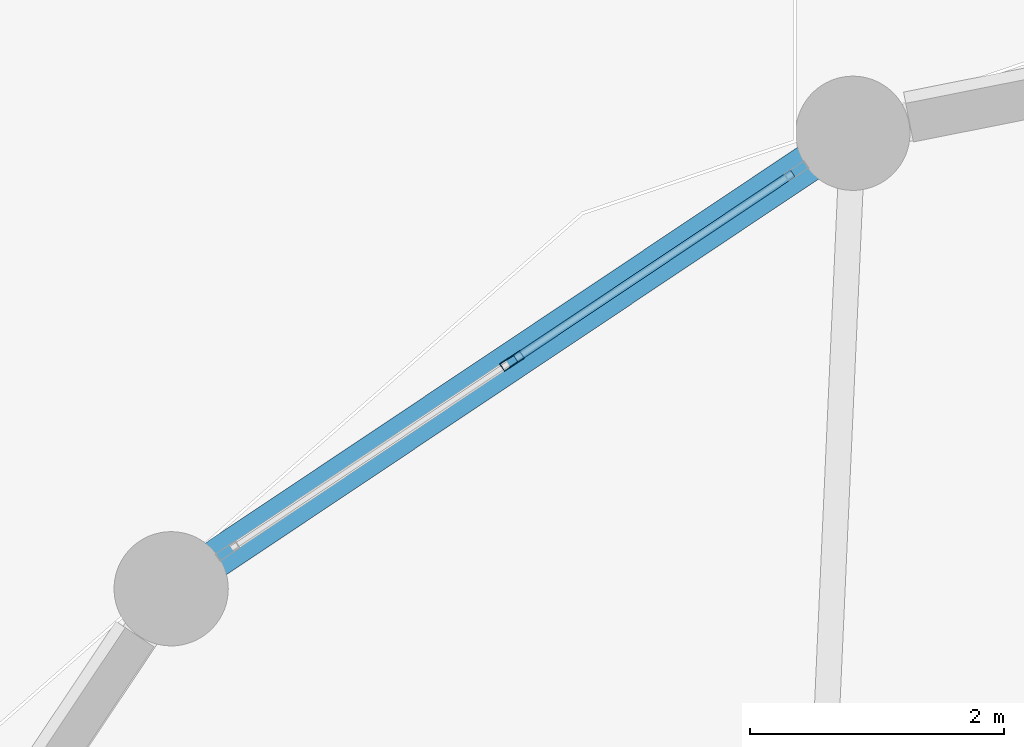
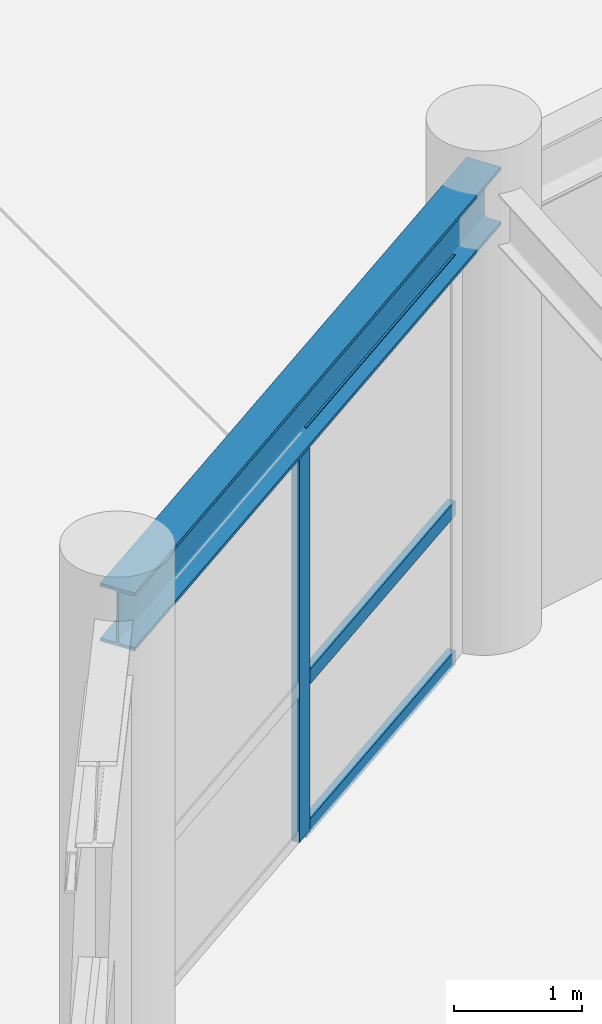
# One storey, part 18 of 40: 4 members, 1 beam, 1 element without a shape of its own.
"""IFC4 building model written with IfcOpenShell, lengths in metres."""

from ifc_helpers import new_model, si_unit, derived_unit, direction, frame, origin, origin_2d, place, context, subcontext, project, spatial, hollow_rectangle, i_section, extrude, source, transform, mapped, material, layer, layer_set, material_profile, profile_set, type_object, element, aggregate, save


model = new_model("IFC4")

# Units and contexts
model_context = context("Model", 3, precision=1e-05, world=origin(), true_north=direction((0.0, 1.0)))
body_context = subcontext(model_context, "Body", "Model", "MODEL_VIEW")
ifc_project = project(units=[si_unit("LENGTHUNIT", "METRE"), si_unit("AREAUNIT", "SQUARE_METRE"), si_unit("VOLUMEUNIT", "CUBIC_METRE"), si_unit("PLANEANGLEUNIT", "RADIAN"), si_unit("MASSUNIT", "GRAM", prefix="KILO"), derived_unit("THERMALTRANSMITTANCEUNIT", [(si_unit("POWERUNIT", "WATT"), 1), (si_unit("LENGTHUNIT", "METRE"), -2), (si_unit("THERMODYNAMICTEMPERATUREUNIT", "KELVIN"), -1)])], contexts=[model_context])

# Site, building, storey
site_placement = place(None, origin())
site = spatial("IfcSite", under=ifc_project, at=site_placement, CompositionType="ELEMENT")
building_placement = place(site_placement, origin())
building = spatial("IfcBuilding", under=site, at=building_placement, Name="Korsvarv Bourse and Concert Hall", CompositionType="ELEMENT")
storey_placement = place(building_placement, origin())
storey = spatial("IfcBuildingStorey", under=building, at=storey_placement, Name="L00", CompositionType="ELEMENT", Elevation=0.0)

# Beam
ifc_material_1 = material(Name="Steel S355", Category="steel")
ifc_material_profile_1 = material_profile(ifc_material_1, i_section(OverallWidth=0.300048828125, OverallDepth=0.550048828125, WebThickness=0.014892578125, FlangeThickness=0.029052734375, FilletRadius=0.02392578125, at=origin_2d()), Name="HEB 550")
ifc_profile_set_1 = profile_set([ifc_material_profile_1], Name="Steel S355")
beam_type = type_object("IfcBeamType", Name="BM-HEB550", PredefinedType="BEAM", material=ifc_profile_set_1)
shared_shape_1 = source(origin(), body_context, "Body", "SweptSolid", [
    extrude(i_section(OverallWidth=0.300048828125, OverallDepth=0.550048828125, WebThickness=0.014892578125, FlangeThickness=0.029052734375, FilletRadius=0.02392578125, at=origin_2d()), origin(), (0.0, 0.0, 1.0), 6.45751953125),
])
beam_placement = place(storey_placement, frame((100.466552734375, 51.290283203125, 4.10498046875), z_axis=(-0.83146235745, -0.55558109052, 0.0), x_axis=(0.55558109052, -0.83146235745, 0.0)))
element("IfcBeam", 1, at=beam_placement, inside=storey, type_object=beam_type, Name="L00 beam B-06", PredefinedType="BEAM", context=body_context, shape_type="MappedRepresentation", body=[
    mapped(shared_shape_1, transform((0.0, 0.0, 0.0), scale=1.0)),
])

# Curtain wall, members
ifc_material_2 = material(Name="Anodised aluminium and triple low-E glazing", Category="glass")
ifc_layer = layer(ifc_material_2, 0.22998046875)
ifc_layer_set = layer_set([ifc_layer], Name="Anodised aluminium and triple low-E glazing")
curtain_wall_type = type_object("IfcCurtainWallType", Name="CW-SYS-6", PredefinedType="NOTDEFINED", material=ifc_layer_set)
curtain_wall_placement = place(storey_placement, origin())
curtain_wall = element("IfcCurtainWall", 2, at=curtain_wall_placement, inside=storey, type_object=curtain_wall_type, Name="L00 CW6 curtain wall CW-L00-CH06", PredefinedType="NOTDEFINED")
ifc_material_3 = material(Name="Extruded aluminium EN AW-6063 T66", Category="aluminium")
ifc_material_profile_2 = material_profile(ifc_material_3, hollow_rectangle(XDim=0.070068359375, YDim=0.18994140625, WallThickness=0.0048828125, at=origin_2d()), Name="ALU-M 70x190")
ifc_profile_set_2 = profile_set([ifc_material_profile_2], Name="Extruded aluminium EN AW-6063 T66")
member_type_1 = type_object("IfcMemberType", Name="CWM-190", PredefinedType="MULLION", material=ifc_profile_set_2)
shared_shape_2 = source(origin(), body_context, "Body", "SweptSolid", [
    extrude(hollow_rectangle(XDim=0.070068359375, YDim=0.18994140625, WallThickness=0.0048828125, at=origin_2d()), origin(), (0.0, 0.0, 1.0), 3.830078125),
])
member_1_placement = place(storey_placement, frame((97.781982421875, 49.496337890625, 0.0), z_axis=(0.0, 0.0, 1.0), x_axis=(0.555571024599, -0.831469083386, 0.0)))
member_1 = element("IfcMember", 3, at=member_1_placement, type_object=member_type_1, Name="CW6 mullion 2", PredefinedType="MULLION", context=body_context, shape_type="MappedRepresentation", body=[
    mapped(shared_shape_2, transform((0.0, 0.0, 0.0), scale=1.0)),
])
ifc_material_profile_3 = material_profile(ifc_material_3, hollow_rectangle(XDim=0.06494140625, YDim=0.139892578125, WallThickness=0.00390625, at=origin_2d()), Name="ALU-T 65x140")
ifc_profile_set_3 = profile_set([ifc_material_profile_3], Name="Extruded aluminium EN AW-6063 T66")
member_type_2 = type_object("IfcMemberType", Name="CWT-140", PredefinedType="USERDEFINED", material=ifc_profile_set_3)
shared_shape_3 = source(origin(), body_context, "Body", "SweptSolid", [
    extrude(hollow_rectangle(XDim=0.06494140625, YDim=0.139892578125, WallThickness=0.00390625, at=origin_2d()), origin(), (0.0, 0.0, 1.0), 2.62353515625),
])
member_2_placement = place(storey_placement, frame((99.992431640625, 50.973388671875, 0.032470703125), z_axis=(-0.831477183587, -0.555558901624, 0.0), x_axis=(0.555558901624, -0.831477183587, 0.0)))
member_2 = element("IfcMember", 4, at=member_2_placement, type_object=member_type_2, Name="CW6 transom 1.1", ObjectType="TRANSOM", PredefinedType="USERDEFINED", context=body_context, shape_type="MappedRepresentation", body=[
    mapped(shared_shape_3, transform((0.0, 0.0, 0.0), scale=1.0)),
])
member_3_placement = place(storey_placement, frame((99.992431640625, 50.973388671875, 1.455322265625), z_axis=(-0.831477183587, -0.555558901624, 0.0), x_axis=(0.555558901624, -0.831477183587, 0.0)))
member_3 = element("IfcMember", 5, at=member_3_placement, type_object=member_type_2, Name="CW6 transom 1.2", ObjectType="TRANSOM", PredefinedType="USERDEFINED", context=body_context, shape_type="MappedRepresentation", body=[
    mapped(shared_shape_3, transform((0.0, 0.0, 0.0), scale=1.0)),
])
member_4_placement = place(storey_placement, frame((99.992431640625, 50.973388671875, 3.797607421875), z_axis=(-0.831477183587, -0.555558901624, 0.0), x_axis=(0.555558901624, -0.831477183587, 0.0)))
member_4 = element("IfcMember", 6, at=member_4_placement, type_object=member_type_2, Name="CW6 transom 1.3", ObjectType="TRANSOM", PredefinedType="USERDEFINED", context=body_context, shape_type="MappedRepresentation", body=[
    mapped(shared_shape_3, transform((0.0, 0.0, 0.0), scale=1.0)),
])
aggregate(curtain_wall, [member_1, member_2, member_3, member_4])

save(model, "model.ifc")
